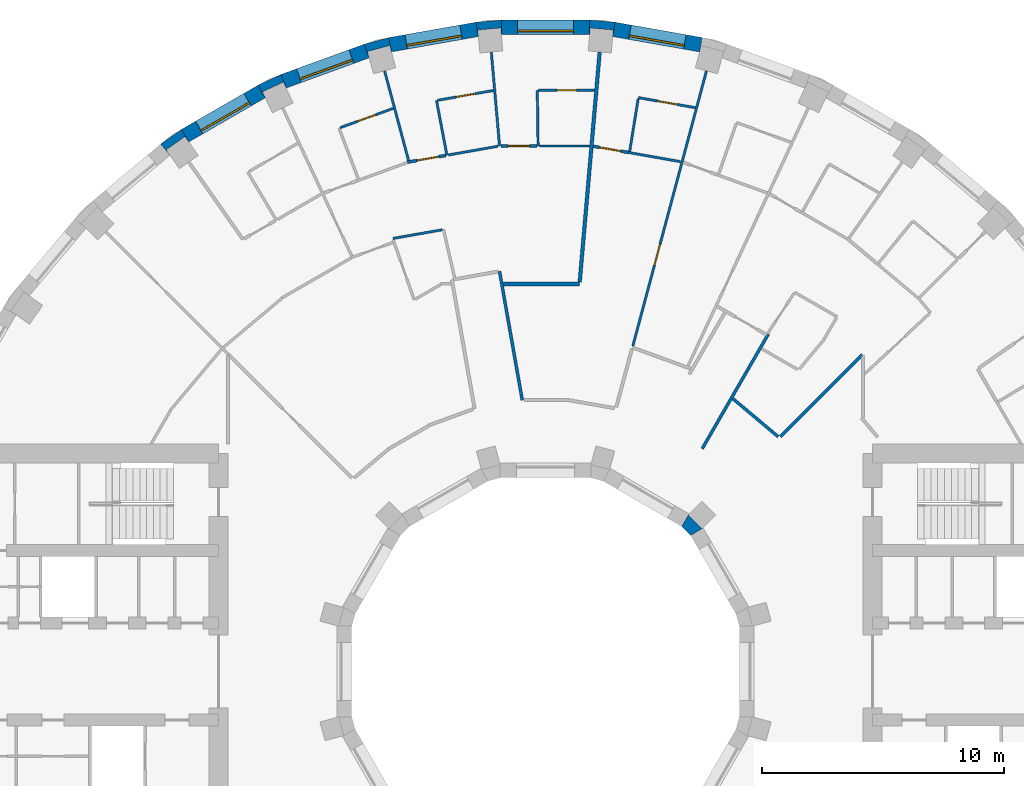
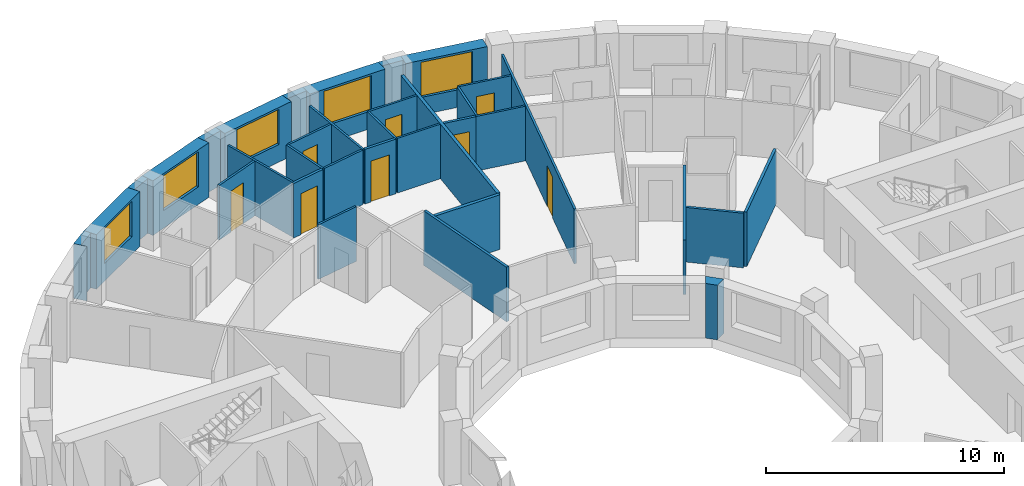
# One storey, part 12 of 16: 34 walls, 8 doors, 5 windows, 13 openings.
"""IFC4 building model written with IfcOpenShell, lengths in metres."""

import ifcopenshell
import ifcopenshell.guid

model = None  # the IFC model being written
_history = None  # IfcOwnerHistory: only IFC2X3 demands one
_inside = {}  # id of a spatial element -> (the spatial element, [elements in it])
_under = {}  # id of a project, library or spatial element -> (it, [spatial elements below it])
_declared = {}  # id of a project -> (the project, [libraries it declares])
_typed = {}  # id of a type object -> (the type object, [elements of that type])
_made_of = {}  # id of a material, layer set ... -> (it, [elements and type objects made of it])


def new_model(schema):
    """Start an empty IFC model of exactly this schema.

    Asked for "IFC4X3", IfcOpenShell would pick the latest addendum, in which some entities
    have other attributes; the version numbers below select the first issue.
    IFC2X3 requires an IfcOwnerHistory on every rooted entity: one is made here for all.
    """
    global model, _history
    if schema == "IFC4X3":
        model = ifcopenshell.file(schema_version=(4, 3, 0, 0))
    else:
        model = ifcopenshell.file(schema=schema)
    _inside.clear()
    _under.clear()
    _declared.clear()
    _typed.clear()
    _made_of.clear()
    _history = None
    if model.schema == "IFC2X3":
        org = make("IfcOrganization", Name="unknown")
        user = make(
            "IfcPersonAndOrganization",
            ThePerson=make("IfcPerson", FamilyName="unknown"),
            TheOrganization=org,
        )
        app = make(
            "IfcApplication",
            ApplicationDeveloper=org,
            Version="unknown",
            ApplicationFullName="unknown",
            ApplicationIdentifier="unknown",
        )
        _history = make(
            "IfcOwnerHistory",
            OwningUser=user,
            OwningApplication=app,
            ChangeAction="ADDED",
            CreationDate=0,
        )
    return model


def make(cls, **values):
    """One entity of the class cls with the attributes given. An attribute that is None is left unset."""
    return model.create_entity(
        cls, **{name: value for name, value in values.items() if value is not None}
    )


def rooted(cls, **values):
    """An entity with a GlobalId (a new one), such as an element, a storey or a relation."""
    return make(cls, GlobalId=ifcopenshell.guid.new(), OwnerHistory=_history, **values)


def si_unit(unit_type, name, prefix=None):
    """IfcSIUnit, for example si_unit("LENGTHUNIT", "METRE", prefix="MILLI")."""
    return make("IfcSIUnit", UnitType=unit_type, Prefix=prefix, Name=name)


def assignment(units):
    """IfcUnitAssignment: the units of a project."""
    return None if units is None else make("IfcUnitAssignment", Units=units)


def point(xyz):
    """IfcCartesianPoint."""
    return None if xyz is None else make("IfcCartesianPoint", Coordinates=xyz)


def direction(xyz):
    """IfcDirection."""
    return None if xyz is None else make("IfcDirection", DirectionRatios=xyz)


def frame(location, z_axis=None, x_axis=None):
    """IfcAxis2Placement3D, a coordinate frame: its origin and axes. An axis left out is left unset."""
    return make(
        "IfcAxis2Placement3D",
        Location=point(location),
        Axis=direction(z_axis),
        RefDirection=direction(x_axis),
    )


def frame_2d(location, x_axis=None):
    """IfcAxis2Placement2D, a coordinate frame in the plane: its origin and x axis."""
    return make(
        "IfcAxis2Placement2D", Location=point(location), RefDirection=direction(x_axis)
    )


def origin():
    """The frame at (0, 0, 0) with its axes left unset."""
    return frame((0.0, 0.0, 0.0))


def place(relative_to, where):
    """IfcLocalPlacement: puts the frame where relative to a parent placement (None: the world)."""
    return make(
        "IfcLocalPlacement", PlacementRelTo=relative_to, RelativePlacement=where
    )


def context(
    kind, dimensions, precision=None, world=None, true_north=None, identifier=None
):
    """IfcGeometricRepresentationContext, for example the 3D "Model" context."""
    return make(
        "IfcGeometricRepresentationContext",
        ContextIdentifier=identifier,
        ContextType=kind,
        CoordinateSpaceDimension=dimensions,
        Precision=precision,
        WorldCoordinateSystem=world,
        TrueNorth=true_north,
    )


def subcontext(parent, identifier, kind, view, scale=None):
    """IfcGeometricRepresentationSubContext, for example "Body" below "Model"."""
    return make(
        "IfcGeometricRepresentationSubContext",
        ContextIdentifier=identifier,
        ContextType=kind,
        ParentContext=parent,
        TargetScale=scale,
        TargetView=view,
    )


def project(units=None, contexts=None):
    """IfcProject with its units and contexts."""
    return rooted(
        "IfcProject",
        Name="project",
        RepresentationContexts=contexts,
        UnitsInContext=assignment(units),
    )


def spatial(cls, under=None, at=None, **own):
    """A site, building, storey or space (cls), placed at a placement, below another one or the project."""
    s = rooted(cls, ObjectPlacement=at, **own)
    if under is not None:
        _under.setdefault(under.id(), (under, []))[1].append(s)
    return s


def polyline(points):
    """IfcPolyline through the points."""
    return make("IfcPolyline", Points=[point(p) for p in points])


def profile(cls, at=None, kind="AREA", **sizes):
    """A parametric profile (cls). Its sizes go by their IFC names, for example OverallWidth=200.0."""
    return make(cls, ProfileType=kind, Position=at, **sizes)


def rectangle(**sizes):
    """IfcRectangleProfileDef."""
    return profile("IfcRectangleProfileDef", **sizes)


def outline(outer, holes=None, kind="AREA"):
    """IfcArbitraryClosedProfileDef: a profile drawn as a closed curve; with holes, ...WithVoids."""
    if holes is None:
        return make("IfcArbitraryClosedProfileDef", ProfileType=kind, OuterCurve=outer)
    return make(
        "IfcArbitraryProfileDefWithVoids",
        ProfileType=kind,
        OuterCurve=outer,
        InnerCurves=holes,
    )


def extrude(swept, where, along, depth):
    """IfcExtrudedAreaSolid: the profile swept, set in the frame where, extruded along a direction by depth."""
    return make(
        "IfcExtrudedAreaSolid",
        SweptArea=swept,
        Position=where,
        ExtrudedDirection=direction(along),
        Depth=depth,
    )


def shape(context_of_items, identifier, shape_type, items):
    """IfcShapeRepresentation: the items that make up one representation, for example the "Body"."""
    return make(
        "IfcShapeRepresentation",
        ContextOfItems=context_of_items,
        RepresentationIdentifier=identifier,
        RepresentationType=shape_type,
        Items=items,
    )


def material(Name=None, Category=None):
    """IfcMaterial."""
    return make("IfcMaterial", Name=Name, Category=Category)


def layer(
    of_material, thickness, ventilated=None, Name=None, Category=None, Priority=None
):
    """IfcMaterialLayer: one layer of a wall or slab, of a material (None: an air gap)."""
    return make(
        "IfcMaterialLayer",
        Material=of_material,
        LayerThickness=thickness,
        IsVentilated=ventilated,
        Name=Name,
        Category=Category,
        Priority=Priority,
    )


def layer_set(layers, Name=None):
    """IfcMaterialLayerSet."""
    return make("IfcMaterialLayerSet", MaterialLayers=layers, LayerSetName=Name)


def made_of(thing, what):
    """Note that an element or type object is made of a material, layer set ...; save() writes the relation."""
    if what is not None:
        _made_of.setdefault(what.id(), (what, []))[1].append(thing)
    return thing


def type_object(cls, material=None, **own):
    """A type object (cls), such as IfcWallType, which elements share."""
    return made_of(rooted(cls, **own), material)


def element(
    cls,
    number,
    at=None,
    inside=None,
    cuts=None,
    type_object=None,
    material=None,
    context=None,
    identifier="Body",
    shape_type=None,
    held_by="IfcProductDefinitionShape",
    body=None,
    shapes=None,
    **own,
):
    """One element of the class cls, such as IfcWall. Its Tag is "e" and its number.

    at: its placement. inside: the storey or other place that contains it. cuts: it is an
    opening in that element (IfcRelVoidsElement). A single representation is given by context,
    identifier, shape_type and body (its items); several are given by shapes. held_by: the class
    of the entity that holds the representations. save() writes the other relations.
    """
    e = rooted(cls, Tag="e%d" % number, ObjectPlacement=at, **own)
    if body is not None:
        shapes = [shape(context, identifier, shape_type, body)]
    if shapes is not None:
        e.Representation = make(held_by, Representations=shapes)
    if inside is not None:
        _inside.setdefault(inside.id(), (inside, []))[1].append(e)
    if cuts is not None:
        rooted(
            "IfcRelVoidsElement", RelatingBuildingElement=cuts, RelatedOpeningElement=e
        )
    if type_object is not None:
        _typed.setdefault(type_object.id(), (type_object, []))[1].append(e)
    return made_of(e, material)


def fill(opening, filler):
    """IfcRelFillsElement: the door or window that sits in an opening."""
    return rooted(
        "IfcRelFillsElement",
        RelatingOpeningElement=opening,
        RelatedBuildingElement=filler,
    )


def aggregate(whole, parts):
    """IfcRelAggregates: a whole, such as a stair, and the parts it consists of."""
    return rooted("IfcRelAggregates", RelatingObject=whole, RelatedObjects=parts)


def save(model, path):
    """Write the relations noted so far, then the file.

    IfcRelAggregates (storeys below a building ...), IfcRelContainedInSpatialStructure (elements
    in a storey), IfcRelDefinesByType, IfcRelAssociatesMaterial and IfcRelDeclares: one each for
    every whole, place, type object, material and project.
    """
    for whole, parts in _under.values():
        aggregate(whole, parts)
    for where, things in _inside.values():
        rooted(
            "IfcRelContainedInSpatialStructure",
            RelatedElements=things,
            RelatingStructure=where,
        )
    for kind, things in _typed.values():
        rooted("IfcRelDefinesByType", RelatedObjects=things, RelatingType=kind)
    for what, things in _made_of.values():
        rooted("IfcRelAssociatesMaterial", RelatedObjects=things, RelatingMaterial=what)
    for by, libraries in _declared.values():
        rooted("IfcRelDeclares", RelatingContext=by, RelatedDefinitions=libraries)
    model.write(path)


model = new_model("IFC4")

# Units and contexts
model_context = context("Model", 3, precision=1e-05, world=origin(), true_north=direction((0.0, 1.0)))
body_context = subcontext(model_context, "Body", "Model", "MODEL_VIEW")
ifc_project = project(units=[si_unit("LENGTHUNIT", "METRE"), si_unit("AREAUNIT", "SQUARE_METRE"), si_unit("VOLUMEUNIT", "CUBIC_METRE"), si_unit("PLANEANGLEUNIT", "RADIAN"), si_unit("MASSUNIT", "GRAM", prefix="KILO")], contexts=[model_context])

# Site, building, storey
site_placement = place(None, origin())
site = spatial("IfcSite", under=ifc_project, at=site_placement, CompositionType="ELEMENT")
building_placement = place(site_placement, origin())
building = spatial("IfcBuilding", under=site, at=building_placement, Name="Saqina Gate Tower", CompositionType="ELEMENT")
storey_placement = place(building_placement, frame((0.0, 0.0, 124.89990234375)))
storey = spatial("IfcBuildingStorey", under=building, at=storey_placement, Name="L35", CompositionType="ELEMENT", Elevation=124.89990234375)

# Walls
ifc_material_1 = material(Name="Brick masonry (buff)", Category="masonry")
wall_type_1 = type_object("IfcWallType", Name="BRICK PIER COPING BUFF", PredefinedType="SOLIDWALL", material=ifc_material_1)
wall_1_placement = place(storey_placement, origin())
element("IfcWall", 1, at=wall_1_placement, inside=storey, type_object=wall_type_1, Name="Pier cap L35 column 9", PredefinedType="SOLIDWALL", context=body_context, shape_type="SweptSolid", body=[
    extrude(outline(polyline([(2.87451171875, 26.805419921875), (1.823974609375, 26.897216796875), (1.823974609375, 26.29736328125), (1.847412109375, 26.565185546875), (2.793701171875, 26.482421875), (2.770263671875, 26.214599609375), (2.87451171875, 26.805419921875)])), origin(), (0.0, 0.0, 1.0), 2.800048828125),
])
wall_2_placement = place(storey_placement, origin())
element("IfcWall", 2, at=wall_2_placement, inside=storey, type_object=wall_type_1, Name="Pier cap L35 column 10", PredefinedType="SOLIDWALL", context=body_context, shape_type="SweptSolid", body=[
    extrude(outline(polyline([(-2.87451171875, 26.805419921875), (-2.770263671875, 26.214599609375), (-2.793701171875, 26.482421875), (-1.847412109375, 26.565185546875), (-1.823974609375, 26.29736328125), (-1.823974609375, 26.897216796875), (-2.87451171875, 26.805419921875)])), origin(), (0.0, 0.0, 1.0), 2.800048828125),
])
wall_3_placement = place(storey_placement, origin())
element("IfcWall", 3, at=wall_3_placement, inside=storey, type_object=wall_type_1, Name="Pier cap L35 column 11", PredefinedType="SOLIDWALL", context=body_context, shape_type="SweptSolid", body=[
    extrude(outline(polyline([(-6.466796875, 26.171875), (-7.485595703125, 25.89892578125), (-7.2802734375, 25.335205078125), (-7.349853515625, 25.5947265625), (-6.43212890625, 25.8408203125), (-6.36279296875, 25.5810546875), (-6.466796875, 26.171875)])), origin(), (0.0, 0.0, 1.0), 2.800048828125),
])
wall_4_placement = place(storey_placement, origin())
element("IfcWall", 4, at=wall_4_placement, inside=storey, type_object=wall_type_1, Name="Pier cap L35 column 12", PredefinedType="SOLIDWALL", context=body_context, shape_type="SweptSolid", body=[
    extrude(outline(polyline([(-10.913330078125, 24.6513671875), (-11.869140625, 24.205810546875), (-11.569091796875, 23.68603515625), (-11.6826171875, 23.9296875), (-10.82177734375, 24.331298828125), (-10.7080078125, 24.08740234375), (-10.913330078125, 24.6513671875)])), origin(), (0.0, 0.0, 1.0), 2.800048828125),
])
wall_5_placement = place(storey_placement, origin())
element("IfcWall", 5, at=wall_5_placement, inside=storey, type_object=wall_type_1, Name="Pier cap L35 column 13", PredefinedType="SOLIDWALL", context=body_context, shape_type="SweptSolid", body=[
    extrude(outline(polyline([(-15.89208984375, 21.77685546875), (-15.50634765625, 21.317138671875), (-15.66064453125, 21.53759765625), (-14.88232421875, 22.08251953125), (-14.728271484375, 21.862060546875), (-15.0283203125, 22.3818359375), (-15.89208984375, 21.77685546875)])), origin(), (0.0, 0.0, 1.0), 2.800048828125),
])

# Wall, opening, window
ifc_material_2 = material(Name="Brick masonry (buff)", Category="masonry")
ifc_layer_1 = layer(ifc_material_2, 0.60009765625)
ifc_layer_set_1 = layer_set([ifc_layer_1], Name="FW-BRICK-BUFF")
wall_type_2 = type_object("IfcWallType", Name="FW-BRICK-BUFF", PredefinedType="SOLIDWALL", material=ifc_layer_set_1)
wall_6_placement = place(storey_placement, frame((6.414794921875, 25.87646484375, 0.0), z_axis=(0.0, 0.0, 1.0), x_axis=(-0.984803764455, 0.173670796382, 0.0)))
wall_6 = element("IfcWall", 6, at=wall_6_placement, inside=storey, type_object=wall_type_2, Name="Facade wall L35 facet 8", PredefinedType="SOLIDWALL", context=body_context, shape_type="SweptSolid", body=[
    extrude(rectangle(XDim=3.64794921875, YDim=0.60009765625, at=frame_2d((1.823974609375, 0.0))), origin(), (0.0, 0.0, 1.0), 2.800048828125),
])
opening_1_placement = place(wall_6_placement, frame((0.673828125, 0.0, 0.89990234375)))
opening_1 = element("IfcOpeningElement", 7, at=opening_1_placement, cuts=wall_6, Name="Opening G10-W06", PredefinedType="OPENING", context=body_context, shape_type="SweptSolid", body=[
    extrude(rectangle(XDim=2.300048828125, YDim=1.800048828125, at=frame_2d((1.14990234375, 0.89990234375))), frame((0.0, 0.31201171875, 0.0), z_axis=(0.0, -1.0, 0.0), x_axis=(1.0, 0.0, 0.0)), (0.0, 0.0, 1.0), 0.6240234375),
])
ifc_material_3 = material(Name="Aluminium glazing", Category="aluminium")
window_type = type_object("IfcWindowType", Name="WN-B", PartitioningType="SINGLE_PANEL", PredefinedType="WINDOW", material=ifc_material_3)
window_1_placement = place(opening_1_placement, origin())
window_1 = element("IfcWindow", 8, at=window_1_placement, inside=storey, type_object=window_type, Name="Window L35 facet 8", OverallHeight=1.800048828125, OverallWidth=2.300048828125, PartitioningType="SINGLE_PANEL", PredefinedType="WINDOW", context=body_context, shape_type="SweptSolid", body=[
    extrude(rectangle(XDim=2.300048828125, YDim=1.800048828125, at=frame_2d((1.14990234375, 0.89990234375))), frame((0.0, 0.179931640625, 0.0), z_axis=(0.0, -1.0, 0.0), x_axis=(1.0, 0.0, 0.0)), (0.0, 0.0, 1.0), 0.06005859375),
])
fill(opening_1, window_1)

wall_7_placement = place(storey_placement, frame((1.823974609375, 26.59716796875, 0.0), z_axis=(0.0, 0.0, 1.0), x_axis=(-1.0, 0.0, 0.0)))
wall_7 = element("IfcWall", 9, at=wall_7_placement, inside=storey, type_object=wall_type_2, Name="Facade wall L35 facet 9", PredefinedType="SOLIDWALL", context=body_context, shape_type="SweptSolid", body=[
    extrude(rectangle(XDim=3.64794921875, YDim=0.60009765625, at=frame_2d((1.823974609375, 0.0))), origin(), (0.0, 0.0, 1.0), 2.800048828125),
])
opening_2_placement = place(wall_7_placement, frame((0.673828125, 0.0, 0.89990234375)))
opening_2 = element("IfcOpeningElement", 10, at=opening_2_placement, cuts=wall_7, Name="Opening G10-W07", PredefinedType="OPENING", context=body_context, shape_type="SweptSolid", body=[
    extrude(rectangle(XDim=2.300048828125, YDim=1.800048828125, at=frame_2d((1.14990234375, 0.89990234375))), frame((0.0, 0.31201171875, 0.0), z_axis=(0.0, -1.0, 0.0), x_axis=(1.0, 0.0, 0.0)), (0.0, 0.0, 1.0), 0.6240234375),
])
window_2_placement = place(opening_2_placement, origin())
window_2 = element("IfcWindow", 11, at=window_2_placement, inside=storey, type_object=window_type, Name="Window L35 facet 9", OverallHeight=1.800048828125, OverallWidth=2.300048828125, PartitioningType="SINGLE_PANEL", PredefinedType="WINDOW", context=body_context, shape_type="SweptSolid", body=[
    extrude(rectangle(XDim=2.300048828125, YDim=1.800048828125, at=frame_2d((1.14990234375, 0.89990234375))), frame((0.0, 0.179931640625, 0.0), z_axis=(0.0, -1.0, 0.0), x_axis=(1.0, 0.0, 0.0)), (0.0, 0.0, 1.0), 0.06005859375),
])
fill(opening_2, window_2)

wall_8_placement = place(storey_placement, frame((-2.822265625, 26.510009765625, 0.0), z_axis=(0.0, 0.0, 1.0), x_axis=(-0.984803764455, -0.173670796382, 0.0)))
wall_8 = element("IfcWall", 12, at=wall_8_placement, inside=storey, type_object=wall_type_2, Name="Facade wall L35 facet 10", PredefinedType="SOLIDWALL", context=body_context, shape_type="SweptSolid", body=[
    extrude(rectangle(XDim=3.64794921875, YDim=0.60009765625, at=frame_2d((1.823974609375, 0.0))), origin(), (0.0, 0.0, 1.0), 2.800048828125),
])
opening_3_placement = place(wall_8_placement, frame((0.673828125, 0.0, 0.89990234375)))
opening_3 = element("IfcOpeningElement", 13, at=opening_3_placement, cuts=wall_8, Name="Opening G10-W08", PredefinedType="OPENING", context=body_context, shape_type="SweptSolid", body=[
    extrude(rectangle(XDim=2.300048828125, YDim=1.800048828125, at=frame_2d((1.14990234375, 0.89990234375))), frame((0.0, 0.31201171875, 0.0), z_axis=(0.0, -1.0, 0.0), x_axis=(1.0, 0.0, 0.0)), (0.0, 0.0, 1.0), 0.6240234375),
])
window_3_placement = place(opening_3_placement, origin())
window_3 = element("IfcWindow", 14, at=window_3_placement, inside=storey, type_object=window_type, Name="Window L35 facet 10", OverallHeight=1.800048828125, OverallWidth=2.300048828125, PartitioningType="SINGLE_PANEL", PredefinedType="WINDOW", context=body_context, shape_type="SweptSolid", body=[
    extrude(rectangle(XDim=2.300048828125, YDim=1.800048828125, at=frame_2d((1.14990234375, 0.89990234375))), frame((0.0, 0.179931640625, 0.0), z_axis=(0.0, -1.0, 0.0), x_axis=(1.0, 0.0, 0.0)), (0.0, 0.0, 1.0), 0.06005859375),
])
fill(opening_3, window_3)

wall_9_placement = place(storey_placement, frame((-7.3828125, 25.616943359375, 0.0), z_axis=(0.0, 0.0, 1.0), x_axis=(-0.939703505393, -0.341990236633, 0.0)))
wall_9 = element("IfcWall", 15, at=wall_9_placement, inside=storey, type_object=wall_type_2, Name="Facade wall L35 facet 11", PredefinedType="SOLIDWALL", context=body_context, shape_type="SweptSolid", body=[
    extrude(rectangle(XDim=3.64794921875, YDim=0.60009765625, at=frame_2d((1.823974609375, 0.0))), origin(), (0.0, 0.0, 1.0), 2.800048828125),
])
opening_4_placement = place(wall_9_placement, frame((0.673828125, 0.0, 0.89990234375)))
opening_4 = element("IfcOpeningElement", 16, at=opening_4_placement, cuts=wall_9, Name="Opening G10-W09", PredefinedType="OPENING", context=body_context, shape_type="SweptSolid", body=[
    extrude(rectangle(XDim=2.300048828125, YDim=1.800048828125, at=frame_2d((1.14990234375, 0.89990234375))), frame((0.0, 0.31201171875, 0.0), z_axis=(0.0, -1.0, 0.0), x_axis=(1.0, 0.0, 0.0)), (0.0, 0.0, 1.0), 0.6240234375),
])
window_4_placement = place(opening_4_placement, origin())
window_4 = element("IfcWindow", 17, at=window_4_placement, inside=storey, type_object=window_type, Name="Window L35 facet 11", OverallHeight=1.800048828125, OverallWidth=2.300048828125, PartitioningType="SINGLE_PANEL", PredefinedType="WINDOW", context=body_context, shape_type="SweptSolid", body=[
    extrude(rectangle(XDim=2.300048828125, YDim=1.800048828125, at=frame_2d((1.14990234375, 0.89990234375))), frame((0.0, 0.179931640625, 0.0), z_axis=(0.0, -1.0, 0.0), x_axis=(1.0, 0.0, 0.0)), (0.0, 0.0, 1.0), 0.06005859375),
])
fill(opening_4, window_4)

wall_10_placement = place(storey_placement, frame((-11.718994140625, 23.94580078125, 0.0), z_axis=(0.0, 0.0, 1.0), x_axis=(-0.866051847062, -0.499954196102, 0.0)))
wall_10 = element("IfcWall", 18, at=wall_10_placement, inside=storey, type_object=wall_type_2, Name="Facade wall L35 facet 12", PredefinedType="SOLIDWALL", context=body_context, shape_type="SweptSolid", body=[
    extrude(rectangle(XDim=3.647705078125, YDim=0.60009765625, at=frame_2d((1.82373046875, 0.0))), origin(), (0.0, 0.0, 1.0), 2.800048828125),
])
opening_5_placement = place(wall_10_placement, frame((0.673828125, 0.0, 0.89990234375)))
opening_5 = element("IfcOpeningElement", 19, at=opening_5_placement, cuts=wall_10, Name="Opening G10-W10", PredefinedType="OPENING", context=body_context, shape_type="SweptSolid", body=[
    extrude(rectangle(XDim=2.300048828125, YDim=1.800048828125, at=frame_2d((1.14990234375, 0.89990234375))), frame((0.0, 0.31201171875, 0.0), z_axis=(0.0, -1.0, 0.0), x_axis=(1.0, 0.0, 0.0)), (0.0, 0.0, 1.0), 0.6240234375),
])
window_5_placement = place(opening_5_placement, origin())
window_5 = element("IfcWindow", 20, at=window_5_placement, inside=storey, type_object=window_type, Name="Window L35 facet 12", OverallHeight=1.800048828125, OverallWidth=2.300048828125, PartitioningType="SINGLE_PANEL", PredefinedType="WINDOW", context=body_context, shape_type="SweptSolid", body=[
    extrude(rectangle(XDim=2.300048828125, YDim=1.800048828125, at=frame_2d((1.14990234375, 0.89990234375))), frame((0.0, 0.179931640625, 0.0), z_axis=(0.0, -1.0, 0.0), x_axis=(1.0, 0.0, 0.0)), (0.0, 0.0, 1.0), 0.06005859375),
])
fill(opening_5, window_5)

# Walls
ifc_material_4 = material(Name="Gypsum board on steel studs, 100 mm", Category="steel")
ifc_layer_2 = layer(ifc_material_4, 0.10009765625)
ifc_layer_set_2 = layer_set([ifc_layer_2], Name="PARTITION 100")
wall_type_3 = type_object("IfcWallType", Name="PARTITION 100", PredefinedType="PARTITIONING", material=ifc_layer_set_2)
wall_11_placement = place(storey_placement, frame((-0.339111328125, 23.9970703125, 0.0), z_axis=(0.0, 0.0, 1.0), x_axis=(0.014009876351, -0.999901856866, 0.0)))
element("IfcWall", 21, at=wall_11_placement, inside=storey, type_object=wall_type_3, Name="PARTITION PW3-01", PredefinedType="PARTITIONING", context=body_context, shape_type="SweptSolid", body=[
    extrude(rectangle(XDim=2.30029296875, YDim=0.10009765625, at=frame_2d((1.150146484375, 0.0))), origin(), (0.0, 0.0, 1.0), 2.800048828125),
])
wall_12_placement = place(storey_placement, frame((-2.237060546875, 25.5673828125, 0.0), z_axis=(0.0, 0.0, 1.0), x_axis=(0.087283097701, -0.996183547774, 0.0)))
element("IfcWall", 22, at=wall_12_placement, inside=storey, type_object=wall_type_3, Name="PARTITION PW3-03", PredefinedType="PARTITIONING", context=body_context, shape_type="SweptSolid", body=[
    extrude(rectangle(XDim=3.88525390625, YDim=0.10009765625, at=frame_2d((1.942626953125, 0.0))), origin(), (0.0, 0.0, 1.0), 2.800048828125),
])
wall_13_placement = place(storey_placement, frame((-4.5009765625, 23.573974609375, 0.0), z_axis=(0.0, 0.0, 1.0), x_axis=(0.187292523019, -0.982304184467, 0.0)))
element("IfcWall", 23, at=wall_13_placement, inside=storey, type_object=wall_type_3, Name="PARTITION PW3-04", PredefinedType="PARTITIONING", context=body_context, shape_type="SweptSolid", body=[
    extrude(rectangle(XDim=2.30078125, YDim=0.10009765625, at=frame_2d((1.150390625, 0.0))), origin(), (0.0, 0.0, 1.0), 2.800048828125),
])
wall_14_placement = place(storey_placement, frame((-6.642578125, 24.79052734375, 0.0), z_axis=(0.0, 0.0, 1.0), x_axis=(0.258530300991, -0.966003148789, 0.0)))
element("IfcWall", 24, at=wall_14_placement, inside=storey, type_object=wall_type_3, Name="PARTITION PW3-07", PredefinedType="PARTITIONING", context=body_context, shape_type="SweptSolid", body=[
    extrude(rectangle(XDim=3.8349609375, YDim=0.10009765625, at=frame_2d((1.91748046875, 0.0))), origin(), (0.0, 0.0, 1.0), 2.800048828125),
])
wall_15_placement = place(storey_placement, frame((3.388671875, 21.4345703125, 0.0), z_axis=(0.0, 0.0, 1.0), x_axis=(0.984795731746, -0.173716339864, 0.0)))
element("IfcWall", 25, at=wall_15_placement, inside=storey, type_object=wall_type_3, Name="PARTITION PW3-49", PredefinedType="PARTITIONING", context=body_context, shape_type="SweptSolid", body=[
    extrude(rectangle(XDim=2.220458984375, YDim=0.10009765625, at=frame_2d((1.1103515625, 0.0))), origin(), (0.0, 0.0, 1.0), 2.800048828125),
])

# Wall, opening, door
wall_16_placement = place(storey_placement, frame((3.8330078125, 23.69189453125, 0.0), z_axis=(0.0, 0.0, 1.0), x_axis=(0.984788703161, -0.173756180111, 0.0)))
wall_16 = element("IfcWall", 26, at=wall_16_placement, inside=storey, type_object=wall_type_3, Name="PARTITION PW3-50", PredefinedType="PARTITIONING", context=body_context, shape_type="SweptSolid", body=[
    extrude(rectangle(XDim=2.388671875, YDim=0.10009765625, at=frame_2d((1.1943359375, 0.0))), origin(), (0.0, 0.0, 1.0), 2.800048828125),
])
opening_6_placement = place(wall_16_placement, frame((0.819580078125, 0.0, 0.0)))
opening_6 = element("IfcOpeningElement", 27, at=opening_6_placement, cuts=wall_16, Name="Opening G10-D14", PredefinedType="OPENING", context=body_context, shape_type="SweptSolid", body=[
    extrude(rectangle(XDim=0.800048828125, YDim=2.10009765625, at=frame_2d((0.39990234375, 1.050048828125))), frame((0.0, 0.06201171875, 0.0), z_axis=(0.0, -1.0, 0.0), x_axis=(1.0, 0.0, 0.0)), (0.0, 0.0, 1.0), 0.1240234375),
])
ifc_material_5 = material(Name="Timber door leaf, 800 mm", Category="wood")
door_type_1 = type_object("IfcDoorType", Name="DOOR 800 TIMBER", OperationType="SINGLE_SWING_LEFT", PredefinedType="DOOR", material=ifc_material_5)
door_1_placement = place(opening_6_placement, origin())
door_1 = element("IfcDoor", 28, at=door_1_placement, inside=storey, type_object=door_type_1, Name="DOOR G10-D14", OperationType="SINGLE_SWING_RIGHT", OverallHeight=2.10009765625, OverallWidth=0.800048828125, PredefinedType="DOOR", context=body_context, shape_type="SweptSolid", body=[
    extrude(rectangle(XDim=0.800048828125, YDim=2.10009765625, at=frame_2d((0.39990234375, 1.050048828125))), frame((0.0, 0.02490234375, 0.0), z_axis=(0.0, -1.0, 0.0), x_axis=(1.0, 0.0, 0.0)), (0.0, 0.0, 1.0), 0.050048828125),
])
fill(opening_6, door_1)

# Wall
wall_17_placement = place(storey_placement, frame((-0.257080078125, 21.697021484375, 0.0), z_axis=(0.0, 0.0, 1.0), x_axis=(1.0, 0.0, 0.0)))
element("IfcWall", 29, at=wall_17_placement, inside=storey, type_object=wall_type_3, Name="PARTITION PW3-55", PredefinedType="PARTITIONING", context=body_context, shape_type="SweptSolid", body=[
    extrude(rectangle(XDim=2.080078125, YDim=0.10009765625, at=frame_2d((1.0400390625, 0.0))), origin(), (0.0, 0.0, 1.0), 2.800048828125),
])

# Wall, opening, door
wall_18_placement = place(storey_placement, frame((-0.2890625, 23.9970703125, 0.0), z_axis=(0.0, 0.0, 1.0), x_axis=(1.0, 0.0, 0.0)))
wall_18 = element("IfcWall", 30, at=wall_18_placement, inside=storey, type_object=wall_type_3, Name="PARTITION PW3-56", PredefinedType="PARTITIONING", context=body_context, shape_type="SweptSolid", body=[
    extrude(rectangle(XDim=2.31298828125, YDim=0.10009765625, at=frame_2d((1.156494140625, 0.0))), origin(), (0.0, 0.0, 1.0), 2.800048828125),
])
opening_7_placement = place(wall_18_placement, frame((0.76904296875, 0.0, 0.0)))
opening_7 = element("IfcOpeningElement", 31, at=opening_7_placement, cuts=wall_18, Name="Opening G10-D16", PredefinedType="OPENING", context=body_context, shape_type="SweptSolid", body=[
    extrude(rectangle(XDim=0.800048828125, YDim=2.10009765625, at=frame_2d((0.39990234375, 1.050048828125))), frame((0.0, 0.06201171875, 0.0), z_axis=(0.0, -1.0, 0.0), x_axis=(1.0, 0.0, 0.0)), (0.0, 0.0, 1.0), 0.1240234375),
])
door_2_placement = place(opening_7_placement, origin())
door_2 = element("IfcDoor", 32, at=door_2_placement, inside=storey, type_object=door_type_1, Name="DOOR G10-D16", OperationType="SINGLE_SWING_RIGHT", OverallHeight=2.10009765625, OverallWidth=0.800048828125, PredefinedType="DOOR", context=body_context, shape_type="SweptSolid", body=[
    extrude(rectangle(XDim=0.800048828125, YDim=2.10009765625, at=frame_2d((0.39990234375, 1.050048828125))), frame((0.0, 0.02490234375, 0.0), z_axis=(0.0, -1.0, 0.0), x_axis=(1.0, 0.0, 0.0)), (0.0, 0.0, 1.0), 0.050048828125),
])
fill(opening_7, door_2)

# Walls
wall_19_placement = place(storey_placement, frame((-6.300048828125, 17.8779296875, 0.0), z_axis=(0.0, 0.0, 1.0), x_axis=(0.984823916484, 0.173556485102, 0.0)))
element("IfcWall", 33, at=wall_19_placement, inside=storey, type_object=wall_type_3, Name="PARTITION PW3-60", PredefinedType="PARTITIONING", context=body_context, shape_type="SweptSolid", body=[
    extrude(rectangle(XDim=2.0693359375, YDim=0.10009765625, at=frame_2d((1.03466796875, 0.0))), origin(), (0.0, 0.0, 1.0), 2.800048828125),
])
wall_20_placement = place(storey_placement, frame((-4.020751953125, 21.32275390625, 0.0), z_axis=(0.0, 0.0, 1.0), x_axis=(0.984822285077, 0.173565742058, 0.0)))
element("IfcWall", 34, at=wall_20_placement, inside=storey, type_object=wall_type_3, Name="PARTITION PW3-61", PredefinedType="PARTITIONING", context=body_context, shape_type="SweptSolid", body=[
    extrude(rectangle(XDim=2.093017578125, YDim=0.10009765625, at=frame_2d((1.04638671875, 0.0))), origin(), (0.0, 0.0, 1.0), 2.800048828125),
])

# Wall, opening, door
wall_21_placement = place(storey_placement, frame((-4.45166015625, 23.582763671875, 0.0), z_axis=(0.0, 0.0, 1.0), x_axis=(0.984842373392, 0.173451721154, 0.0)))
wall_21 = element("IfcWall", 35, at=wall_21_placement, inside=storey, type_object=wall_type_3, Name="PARTITION PW3-62", PredefinedType="PARTITIONING", context=body_context, shape_type="SweptSolid", body=[
    extrude(rectangle(XDim=2.337890625, YDim=0.10009765625, at=frame_2d((1.1689453125, 0.0))), origin(), (0.0, 0.0, 1.0), 2.800048828125),
])
opening_8_placement = place(wall_21_placement, frame((0.76904296875, 0.0, 0.0)))
opening_8 = element("IfcOpeningElement", 36, at=opening_8_placement, cuts=wall_21, Name="Opening G10-D18", PredefinedType="OPENING", context=body_context, shape_type="SweptSolid", body=[
    extrude(rectangle(XDim=0.800048828125, YDim=2.10009765625, at=frame_2d((0.39990234375, 1.050048828125))), frame((0.0, 0.06201171875, 0.0), z_axis=(0.0, -1.0, 0.0), x_axis=(1.0, 0.0, 0.0)), (0.0, 0.0, 1.0), 0.1240234375),
])
door_3_placement = place(opening_8_placement, origin())
door_3 = element("IfcDoor", 37, at=door_3_placement, inside=storey, type_object=door_type_1, Name="DOOR G10-D18", OperationType="SINGLE_SWING_RIGHT", OverallHeight=2.10009765625, OverallWidth=0.800048828125, PredefinedType="DOOR", context=body_context, shape_type="SweptSolid", body=[
    extrude(rectangle(XDim=0.800048828125, YDim=2.10009765625, at=frame_2d((0.39990234375, 1.050048828125))), frame((0.0, 0.02490234375, 0.0), z_axis=(0.0, -1.0, 0.0), x_axis=(1.0, 0.0, 0.0)), (0.0, 0.0, 1.0), 0.050048828125),
])
fill(opening_8, door_3)

wall_22_placement = place(storey_placement, frame((-8.47900390625, 22.451171875, 0.0), z_axis=(0.0, 0.0, 1.0), x_axis=(0.939671413828, 0.342078403345, 0.0)))
wall_22 = element("IfcWall", 38, at=wall_22_placement, inside=storey, type_object=wall_type_3, Name="PARTITION PW3-67", PredefinedType="PARTITIONING", context=body_context, shape_type="SweptSolid", body=[
    extrude(rectangle(XDim=2.338134765625, YDim=0.10009765625, at=frame_2d((1.1689453125, 0.0))), origin(), (0.0, 0.0, 1.0), 2.800048828125),
])
opening_9_placement = place(wall_22_placement, frame((0.76904296875, 0.0, 0.0)))
opening_9 = element("IfcOpeningElement", 39, at=opening_9_placement, cuts=wall_22, Name="Opening G10-D20", PredefinedType="OPENING", context=body_context, shape_type="SweptSolid", body=[
    extrude(rectangle(XDim=0.800048828125, YDim=2.10009765625, at=frame_2d((0.39990234375, 1.050048828125))), frame((0.0, 0.06201171875, 0.0), z_axis=(0.0, -1.0, 0.0), x_axis=(1.0, 0.0, 0.0)), (0.0, 0.0, 1.0), 0.1240234375),
])
door_4_placement = place(opening_9_placement, origin())
door_4 = element("IfcDoor", 40, at=door_4_placement, inside=storey, type_object=door_type_1, Name="DOOR G10-D20", OperationType="SINGLE_SWING_LEFT", OverallHeight=2.10009765625, OverallWidth=0.800048828125, PredefinedType="DOOR", context=body_context, shape_type="SweptSolid", body=[
    extrude(rectangle(XDim=0.800048828125, YDim=2.10009765625, at=frame_2d((0.39990234375, 1.050048828125))), frame((0.0, 0.02490234375, 0.0), z_axis=(0.0, -1.0, 0.0), x_axis=(1.0, 0.0, 0.0)), (0.0, 0.0, 1.0), 0.050048828125),
])
fill(opening_9, door_4)

wall_23_placement = place(storey_placement, frame((3.604736328125, 13.43994140625, 0.0), z_axis=(0.0, 0.0, 1.0), x_axis=(0.258538057112, 0.966001072994, 0.0)))
wall_23 = element("IfcWall", 41, at=wall_23_placement, inside=storey, type_object=wall_type_3, Name="PARTITION PW3-102", PredefinedType="PARTITIONING", context=body_context, shape_type="SweptSolid", body=[
    extrude(rectangle(XDim=11.75, YDim=0.10009765625, at=frame_2d((5.875, 0.0))), origin(), (0.0, 0.0, 1.0), 2.800048828125),
])
opening_10_placement = place(wall_23_placement, frame((3.450439453125, 0.0, 0.0)))
opening_10 = element("IfcOpeningElement", 42, at=opening_10_placement, cuts=wall_23, Name="Opening G10-D13", PredefinedType="OPENING", context=body_context, shape_type="SweptSolid", body=[
    extrude(rectangle(XDim=0.89990234375, YDim=2.10009765625, at=frame_2d((0.449951171875, 1.050048828125))), frame((0.0, 0.06201171875, 0.0), z_axis=(0.0, -1.0, 0.0), x_axis=(1.0, 0.0, 0.0)), (0.0, 0.0, 1.0), 0.1240234375),
])
ifc_material_6 = material(Name="Timber door leaf, 900 mm", Category="wood")
door_type_2 = type_object("IfcDoorType", Name="DOOR 900 TIMBER", OperationType="SINGLE_SWING_LEFT", PredefinedType="DOOR", material=ifc_material_6)
door_5_placement = place(opening_10_placement, origin())
door_5 = element("IfcDoor", 43, at=door_5_placement, inside=storey, type_object=door_type_2, Name="DOOR G10-D13", OperationType="SINGLE_SWING_LEFT", OverallHeight=2.10009765625, OverallWidth=0.89990234375, PredefinedType="DOOR", context=body_context, shape_type="SweptSolid", body=[
    extrude(rectangle(XDim=0.89990234375, YDim=2.10009765625, at=frame_2d((0.449951171875, 1.050048828125))), frame((0.0, 0.02490234375, 0.0), z_axis=(0.0, -1.0, 0.0), x_axis=(1.0, 0.0, 0.0)), (0.0, 0.0, 1.0), 0.050048828125),
])
fill(opening_10, door_5)

# Walls
wall_24_placement = place(storey_placement, frame((3.473876953125, 21.470458984375, 0.0), z_axis=(0.0, 0.0, 1.0), x_axis=(0.159556862709, 0.987188739585, 0.0)))
element("IfcWall", 44, at=wall_24_placement, inside=storey, type_object=wall_type_3, Name="PARTITION PW3-105", PredefinedType="PARTITIONING", context=body_context, shape_type="SweptSolid", body=[
    extrude(rectangle(XDim=2.2001953125, YDim=0.10009765625, at=frame_2d((1.10009765625, 0.0))), origin(), (0.0, 0.0, 1.0), 2.800048828125),
])
ifc_material_7 = material(Name="Gypsum board on steel studs, 125 mm, fire rated", Category="steel")
ifc_layer_3 = layer(ifc_material_7, 0.125)
ifc_layer_set_3 = layer_set([ifc_layer_3], Name="PARTITION EI 30 125")
wall_type_4 = type_object("IfcWallType", Name="PARTITION EI 30 125", PredefinedType="PARTITIONING", material=ifc_layer_set_3)
wall_25_placement = place(storey_placement, frame((-1.89794921875, 16.52099609375, 0.0), z_axis=(0.0, 0.0, 1.0), x_axis=(0.173777601074, -0.984784923405, 0.0)))
element("IfcWall", 45, at=wall_25_placement, inside=storey, type_object=wall_type_4, Name="PARTITION PW1-02", PredefinedType="PARTITIONING", context=body_context, shape_type="SweptSolid", body=[
    extrude(rectangle(XDim=5.4033203125, YDim=0.125, at=frame_2d((2.70166015625, 0.0))), origin(), (0.0, 0.0, 1.0), 2.800048828125),
])
wall_26_placement = place(storey_placement, frame((7.732666015625, 11.2666015625, 0.0), z_axis=(0.0, 0.0, 1.0), x_axis=(0.765785489597, -0.643096092293, 0.0)))
element("IfcWall", 46, at=wall_26_placement, inside=storey, type_object=wall_type_4, Name="PARTITION PW1-12", PredefinedType="PARTITIONING", context=body_context, shape_type="SweptSolid", body=[
    extrude(rectangle(XDim=2.445556640625, YDim=0.125, at=frame_2d((1.22265625, 0.0))), origin(), (0.0, 0.0, 1.0), 2.800048828125),
])

# Wall, opening, door
wall_27_placement = place(storey_placement, frame((1.971923828125, 21.68408203125, 0.0), z_axis=(0.0, 0.0, 1.0), x_axis=(0.984843298649, -0.173446467555, 0.0)))
wall_27 = element("IfcWall", 47, at=wall_27_placement, inside=storey, type_object=wall_type_4, Name="PARTITION PW1-26", PredefinedType="PARTITIONING", context=body_context, shape_type="SweptSolid", body=[
    extrude(rectangle(XDim=1.4384765625, YDim=0.125, at=frame_2d((0.71923828125, 0.0))), origin(), (0.0, 0.0, 1.0), 2.800048828125),
])
opening_11_placement = place(wall_27_placement, frame((0.2568359375, 0.0, 0.0)))
opening_11 = element("IfcOpeningElement", 48, at=opening_11_placement, cuts=wall_27, Name="Opening G10-D15", PredefinedType="OPENING", context=body_context, shape_type="SweptSolid", body=[
    extrude(rectangle(XDim=0.89990234375, YDim=2.10009765625, at=frame_2d((0.449951171875, 1.050048828125))), frame((0.0, 0.074462890625, 0.0), z_axis=(0.0, -1.0, 0.0), x_axis=(1.0, 0.0, 0.0)), (0.0, 0.0, 1.0), 0.14892578125),
])
ifc_material_8 = material(Name="Fire door leaf EI 30, 900 mm")
door_type_3 = type_object("IfcDoorType", Name="DOOR 900 EI 30", OperationType="SINGLE_SWING_LEFT", PredefinedType="DOOR", material=ifc_material_8)
door_6_placement = place(opening_11_placement, frame((0.89990234375, 0.0, 0.0), z_axis=(0.0, 0.0, 1.0), x_axis=(-1.0, 0.0, 0.0)))
door_6 = element("IfcDoor", 49, at=door_6_placement, inside=storey, type_object=door_type_3, Name="DOOR G10-D15", OperationType="SINGLE_SWING_RIGHT", OverallHeight=2.10009765625, OverallWidth=0.89990234375, PredefinedType="DOOR", context=body_context, shape_type="SweptSolid", body=[
    extrude(rectangle(XDim=0.89990234375, YDim=2.10009765625, at=frame_2d((0.449951171875, 1.050048828125))), frame((0.0, 0.02490234375, 0.0), z_axis=(0.0, -1.0, 0.0), x_axis=(1.0, 0.0, 0.0)), (0.0, 0.0, 1.0), 0.050048828125),
])
fill(opening_11, door_6)

wall_28_placement = place(storey_placement, frame((-1.847900390625, 21.697021484375, 0.0), z_axis=(0.0, 0.0, 1.0), x_axis=(1.0, 0.0, 0.0)))
wall_28 = element("IfcWall", 50, at=wall_28_placement, inside=storey, type_object=wall_type_4, Name="PARTITION PW1-30", PredefinedType="PARTITIONING", context=body_context, shape_type="SweptSolid", body=[
    extrude(rectangle(XDim=1.490966796875, YDim=0.125, at=frame_2d((0.74560546875, 0.0))), origin(), (0.0, 0.0, 1.0), 2.800048828125),
])
opening_12_placement = place(wall_28_placement, frame((0.29541015625, 0.0, 0.0)))
opening_12 = element("IfcOpeningElement", 51, at=opening_12_placement, cuts=wall_28, Name="Opening G10-D17", PredefinedType="OPENING", context=body_context, shape_type="SweptSolid", body=[
    extrude(rectangle(XDim=0.89990234375, YDim=2.10009765625, at=frame_2d((0.449951171875, 1.050048828125))), frame((0.0, 0.074462890625, 0.0), z_axis=(0.0, -1.0, 0.0), x_axis=(1.0, 0.0, 0.0)), (0.0, 0.0, 1.0), 0.14892578125),
])
door_7_placement = place(opening_12_placement, frame((0.89990234375, 0.0, 0.0), z_axis=(0.0, 0.0, 1.0), x_axis=(-1.0, 0.0, 0.0)))
door_7 = element("IfcDoor", 52, at=door_7_placement, inside=storey, type_object=door_type_3, Name="DOOR G10-D17", OperationType="SINGLE_SWING_RIGHT", OverallHeight=2.10009765625, OverallWidth=0.89990234375, PredefinedType="DOOR", context=body_context, shape_type="SweptSolid", body=[
    extrude(rectangle(XDim=0.89990234375, YDim=2.10009765625, at=frame_2d((0.449951171875, 1.050048828125))), frame((0.0, 0.02490234375, 0.0), z_axis=(0.0, -1.0, 0.0), x_axis=(1.0, 0.0, 0.0)), (0.0, 0.0, 1.0), 0.050048828125),
])
fill(opening_12, door_7)

wall_29_placement = place(storey_placement, frame((-5.699462890625, 21.027099609375, 0.0), z_axis=(0.0, 0.0, 1.0), x_axis=(0.984843235948, 0.173446823572, 0.0)))
wall_29 = element("IfcWall", 53, at=wall_29_placement, inside=storey, type_object=wall_type_4, Name="PARTITION PW1-34", PredefinedType="PARTITIONING", context=body_context, shape_type="SweptSolid", body=[
    extrude(rectangle(XDim=1.604736328125, YDim=0.125, at=frame_2d((0.80224609375, 0.0))), origin(), (0.0, 0.0, 1.0), 2.800048828125),
])
opening_13_placement = place(wall_29_placement, frame((0.409423828125, 0.0, 0.0)))
opening_13 = element("IfcOpeningElement", 54, at=opening_13_placement, cuts=wall_29, Name="Opening G10-D19", PredefinedType="OPENING", context=body_context, shape_type="SweptSolid", body=[
    extrude(rectangle(XDim=0.89990234375, YDim=2.10009765625, at=frame_2d((0.449951171875, 1.050048828125))), frame((0.0, 0.074462890625, 0.0), z_axis=(0.0, -1.0, 0.0), x_axis=(1.0, 0.0, 0.0)), (0.0, 0.0, 1.0), 0.14892578125),
])
door_8_placement = place(opening_13_placement, frame((0.89990234375, 0.0, 0.0), z_axis=(0.0, 0.0, 1.0), x_axis=(-1.0, 0.0, 0.0)))
door_8 = element("IfcDoor", 55, at=door_8_placement, inside=storey, type_object=door_type_3, Name="DOOR G10-D19", OperationType="SINGLE_SWING_RIGHT", OverallHeight=2.10009765625, OverallWidth=0.89990234375, PredefinedType="DOOR", context=body_context, shape_type="SweptSolid", body=[
    extrude(rectangle(XDim=0.89990234375, YDim=2.10009765625, at=frame_2d((0.449951171875, 1.050048828125))), frame((0.0, 0.02490234375, 0.0), z_axis=(0.0, -1.0, 0.0), x_axis=(1.0, 0.0, 0.0)), (0.0, 0.0, 1.0), 0.050048828125),
])
fill(opening_13, door_8)

# Walls
wall_30_placement = place(storey_placement, frame((9.697265625, 9.6953125, 0.0), z_axis=(0.0, 0.0, 1.0), x_axis=(0.707106781187, 0.707106781187, 0.0)))
element("IfcWall", 56, at=wall_30_placement, inside=storey, type_object=wall_type_4, Name="PARTITION PW1-48", PredefinedType="PARTITIONING", context=body_context, shape_type="SweptSolid", body=[
    extrude(rectangle(XDim=4.78369140625, YDim=0.125, at=frame_2d((2.391845703125, 0.0))), origin(), (0.0, 0.0, 1.0), 2.800048828125),
])
wall_31_placement = place(storey_placement, frame((6.466552734375, 9.197021484375, 0.0), z_axis=(0.0, 0.0, 1.0), x_axis=(0.499744377638, 0.866172937132, 0.0)))
element("IfcWall", 57, at=wall_31_placement, inside=storey, type_object=wall_type_4, Name="PARTITION PW1-53", PredefinedType="PARTITIONING", context=body_context, shape_type="SweptSolid", body=[
    extrude(rectangle(XDim=5.462646484375, YDim=0.125, at=frame_2d((2.7314453125, 0.0))), origin(), (0.0, 0.0, 1.0), 2.800048828125),
])
ifc_material_9 = material(Name="Gypsum board on steel studs, 150 mm, fire rated", Category="steel")
ifc_layer_4 = layer(ifc_material_9, 0.14990234375)
ifc_layer_set_4 = layer_set([ifc_layer_4], Name="PARTITION EI 60 150")
wall_type_5 = type_object("IfcWallType", Name="PARTITION EI 60 150", PredefinedType="PARTITIONING", material=ifc_layer_set_4)
wall_32_placement = place(storey_placement, frame((-1.743408203125, 16.0, 0.0), z_axis=(0.0, 0.0, 1.0), x_axis=(1.0, 0.0, 0.0)))
element("IfcWall", 58, at=wall_32_placement, inside=storey, type_object=wall_type_5, Name="PARTITION PW2-03", PredefinedType="PARTITIONING", context=body_context, shape_type="SweptSolid", body=[
    extrude(rectangle(XDim=3.143310546875, YDim=0.14990234375, at=frame_2d((1.57177734375, 0.0))), origin(), (0.0, 0.0, 1.0), 2.800048828125),
])
wall_33_placement = place(storey_placement, frame((1.411376953125, 16.0751953125, 0.0), z_axis=(0.0, 0.0, 1.0), x_axis=(0.086480343505, 0.996253557177, 0.0)))
element("IfcWall", 59, at=wall_33_placement, inside=storey, type_object=wall_type_5, Name="PARTITION PW2-04", PredefinedType="PARTITIONING", context=body_context, shape_type="SweptSolid", body=[
    extrude(rectangle(XDim=9.52783203125, YDim=0.14990234375, at=frame_2d((4.763916015625, 0.0))), origin(), (0.0, 0.0, 1.0), 2.800048828125),
])
ifc_material_10 = material(Name="Glazed ceramic tile", Category="ceramic")
wall_type_6 = type_object("IfcWallType", Name="TILE PIER COPING", PredefinedType="SOLIDWALL", material=ifc_material_10)
wall_34_placement = place(storey_placement, origin())
element("IfcWall", 60, at=wall_34_placement, inside=storey, type_object=wall_type_6, Name="Well pier cap L35 column 2", PredefinedType="SOLIDWALL", context=body_context, shape_type="SweptSolid", body=[
    extrude(outline(polyline([(5.891845703125, 6.45751953125), (5.622802734375, 5.991455078125), (5.991455078125, 5.622802734375), (6.45751953125, 5.891845703125), (5.891845703125, 6.45751953125)])), origin(), (0.0, 0.0, 1.0), 2.800048828125),
])

save(model, "model.ifc")
